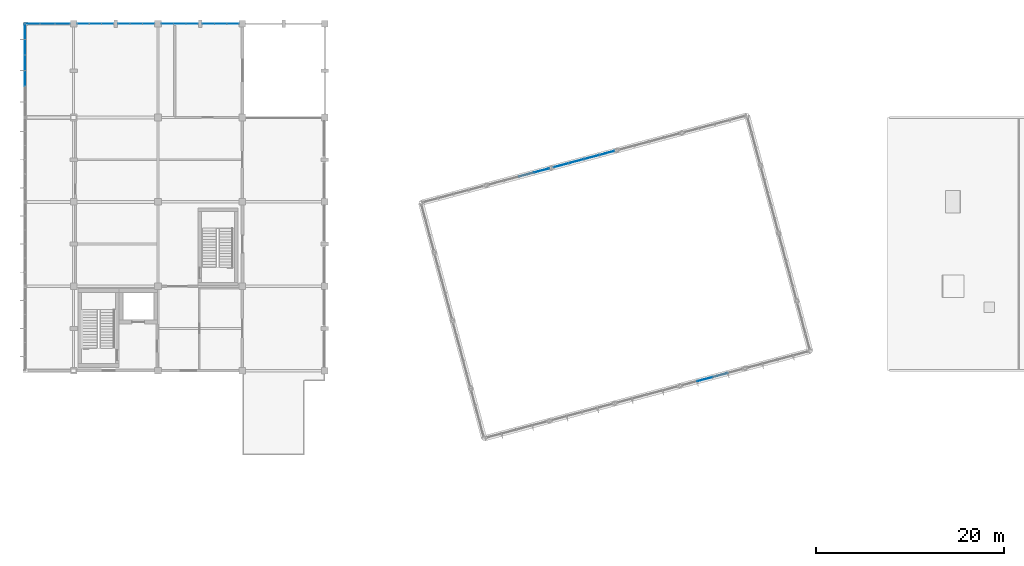
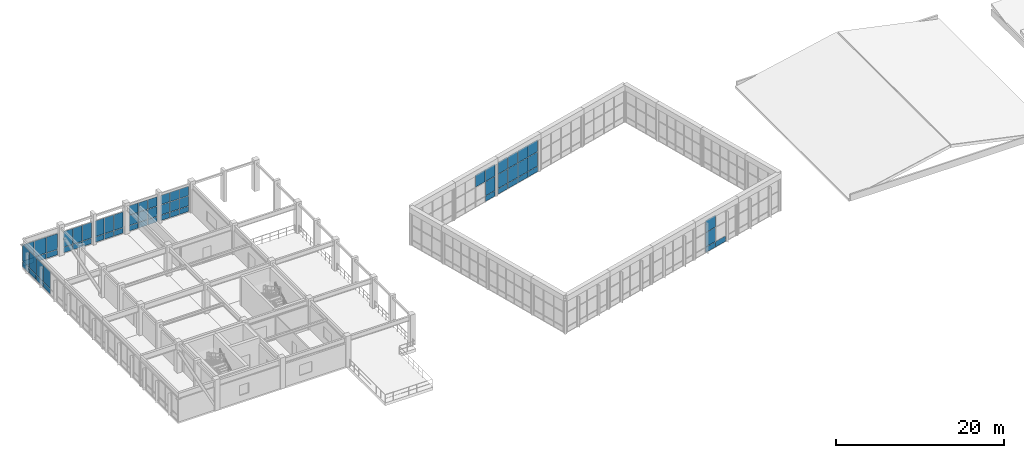
# One storey, part 40 of 55: 64 plates, 9 elements without a shape of their own.
"""IFC4 building model written with IfcOpenShell, lengths in metres."""

from ifc_helpers import new_model, si_unit, direction, frame, origin, origin_2d, place, context, subcontext, project, spatial, rectangle, extrude, material, layer, layer_set, type_object, element, aggregate, save


model = new_model("IFC4")

# Units and contexts
model_context = context("Model", 3, precision=1e-05, world=origin(), true_north=direction((0.0, 1.0)))
body_context = subcontext(model_context, "Body", "Model", "MODEL_VIEW")
ifc_project = project(units=[si_unit("LENGTHUNIT", "METRE"), si_unit("AREAUNIT", "SQUARE_METRE"), si_unit("VOLUMEUNIT", "CUBIC_METRE"), si_unit("PLANEANGLEUNIT", "RADIAN"), si_unit("MASSUNIT", "GRAM", prefix="KILO")], contexts=[model_context])

# Site, building, storey
site_placement = place(None, origin())
site = spatial("IfcSite", under=ifc_project, at=site_placement, CompositionType="ELEMENT")
building_placement = place(site_placement, origin())
building = spatial("IfcBuilding", under=site, at=building_placement, Name="Ventoquebrada Cableway Terminal", CompositionType="ELEMENT")
storey_placement = place(building_placement, frame((0.0, 0.0, 14.39990234375)))
storey = spatial("IfcBuildingStorey", under=building, at=storey_placement, Name="L03", CompositionType="ELEMENT", Elevation=14.39990234375)

# Curtain wall, plate
ifc_material_1 = material(Name="Anodized thermally-broken aluminium", Category="aluminium")
ifc_layer_1 = layer(ifc_material_1, 0.159912109375)
ifc_layer_set_1 = layer_set([ifc_layer_1], Name="Anodized thermally-broken aluminium")
curtain_wall_type_1 = type_object("IfcCurtainWallType", Name="CW-T20", PredefinedType="USERDEFINED", material=ifc_layer_set_1)
curtain_wall_1_placement = place(storey_placement, origin())
curtain_wall_1 = element("IfcCurtainWall", 1, at=curtain_wall_1_placement, inside=storey, type_object=curtain_wall_type_1, Name="Unitised glazed curtain wall CW-051", ObjectType="UNITISED CURTAIN WALL", PredefinedType="USERDEFINED")
ifc_material_2 = material(Name="Double low-e laminated safety glazing", Category="glass")
ifc_layer_2 = layer(ifc_material_2, 0.031982421875)
ifc_layer_set_2 = layer_set([ifc_layer_2], Name="Double low-e laminated safety glazing")
plate_type_1 = type_object("IfcPlateType", Name="CWP-GL1", PredefinedType="CURTAIN_PANEL", material=ifc_layer_set_2)
plate_1_placement = place(storey_placement, frame((5.422119140625, 114.0, 0.880126953125), z_axis=(0.0, 0.0, 1.0), x_axis=(-1.0, 0.0, 0.0)))
plate_1 = element("IfcPlate", 2, at=plate_1_placement, type_object=plate_type_1, Name="Vision glazing panel PN-0513", PredefinedType="CURTAIN_PANEL", context=body_context, shape_type="SweptSolid", body=[
    extrude(rectangle(XDim=1.571044921875, YDim=0.031982421875, at=origin_2d()), origin(), (0.0, 0.0, 1.0), 2.27001953125),
])

ifc_layer_3 = layer(ifc_material_1, 0.159912109375)
ifc_layer_set_3 = layer_set([ifc_layer_3], Name="Anodized thermally-broken aluminium")
curtain_wall_type_2 = type_object("IfcCurtainWallType", Name="CW-T21", PredefinedType="USERDEFINED", material=ifc_layer_set_3)
curtain_wall_2_placement = place(storey_placement, origin())
curtain_wall_2 = element("IfcCurtainWall", 3, at=curtain_wall_2_placement, inside=storey, type_object=curtain_wall_type_2, Name="Unitised glazed curtain wall CW-052", ObjectType="UNITISED CURTAIN WALL", PredefinedType="USERDEFINED")
plate_2_placement = place(storey_placement, frame((14.875, 114.0, 0.880126953125), z_axis=(0.0, 0.0, 1.0), x_axis=(-1.0, 0.0, 0.0)))
plate_2 = element("IfcPlate", 4, at=plate_2_placement, type_object=plate_type_1, Name="Vision glazing panel PN-0519", PredefinedType="CURTAIN_PANEL", context=body_context, shape_type="SweptSolid", body=[
    extrude(rectangle(XDim=1.26904296875, YDim=0.031982421875, at=origin_2d()), origin(), (0.0, 0.0, 1.0), 2.27001953125),
])

curtain_wall_3_placement = place(storey_placement, origin())
curtain_wall_3 = element("IfcCurtainWall", 5, at=curtain_wall_3_placement, inside=storey, type_object=curtain_wall_type_2, Name="Unitised glazed curtain wall CW-053", ObjectType="UNITISED CURTAIN WALL", PredefinedType="USERDEFINED")
plate_3_placement = place(storey_placement, frame((10.52490234375, 114.0, 0.880126953125), z_axis=(0.0, 0.0, 1.0), x_axis=(-1.0, 0.0, 0.0)))
plate_3 = element("IfcPlate", 6, at=plate_3_placement, type_object=plate_type_1, Name="Vision glazing panel PN-0525", PredefinedType="CURTAIN_PANEL", context=body_context, shape_type="SweptSolid", body=[
    extrude(rectangle(XDim=1.26904296875, YDim=0.031982421875, at=origin_2d()), origin(), (0.0, 0.0, 1.0), 2.27001953125),
])

# Curtain wall, plates
ifc_layer_4 = layer(ifc_material_1, 0.159912109375)
ifc_layer_set_4 = layer_set([ifc_layer_4], Name="Anodized thermally-broken aluminium")
curtain_wall_type_3 = type_object("IfcCurtainWallType", Name="CW-T06", PredefinedType="USERDEFINED", material=ifc_layer_set_4)
curtain_wall_4_placement = place(storey_placement, origin())
curtain_wall_4 = element("IfcCurtainWall", 7, at=curtain_wall_4_placement, inside=storey, type_object=curtain_wall_type_3, Name="Unitised glazed curtain wall CW-054", ObjectType="UNITISED CURTAIN WALL", PredefinedType="USERDEFINED")
plate_4_placement = place(storey_placement, frame((25.1708984375, 114.0, 2.37109375), z_axis=(0.0, 0.0, 1.0), x_axis=(-1.0, 0.0, 0.0)))
plate_4 = element("IfcPlate", 8, at=plate_4_placement, type_object=plate_type_1, Name="Vision glazing panel PN-0530", PredefinedType="CURTAIN_PANEL", context=body_context, shape_type="SweptSolid", body=[
    extrude(rectangle(XDim=1.23388671875, YDim=0.031982421875, at=origin_2d()), origin(), (0.0, 0.0, 1.0), 1.340087890625),
])
plate_5_placement = place(storey_placement, frame((23.875, 114.0, 0.87939453125), z_axis=(0.0, 0.0, 1.0), x_axis=(-1.0, 0.0, 0.0)))
plate_5 = element("IfcPlate", 9, at=plate_5_placement, type_object=plate_type_1, Name="Vision glazing panel PN-0532", PredefinedType="CURTAIN_PANEL", context=body_context, shape_type="SweptSolid", body=[
    extrude(rectangle(XDim=1.26904296875, YDim=0.031982421875, at=origin_2d()), origin(), (0.0, 0.0, 1.0), 1.431884765625),
])
plate_6_placement = place(storey_placement, frame((22.5791015625, 114.0, 2.37109375), z_axis=(0.0, 0.0, 1.0), x_axis=(-1.0, 0.0, 0.0)))
plate_6 = element("IfcPlate", 10, at=plate_6_placement, type_object=plate_type_1, Name="Vision glazing panel PN-0536", PredefinedType="CURTAIN_PANEL", context=body_context, shape_type="SweptSolid", body=[
    extrude(rectangle(XDim=1.23388671875, YDim=0.031982421875, at=origin_2d()), origin(), (0.0, 0.0, 1.0), 1.340087890625),
])

curtain_wall_5_placement = place(storey_placement, origin())
curtain_wall_5 = element("IfcCurtainWall", 11, at=curtain_wall_5_placement, inside=storey, type_object=curtain_wall_type_3, Name="Unitised glazed curtain wall CW-055", ObjectType="UNITISED CURTAIN WALL", PredefinedType="USERDEFINED")
plate_7_placement = place(storey_placement, frame((20.821044921875, 114.0, 2.37109375), z_axis=(0.0, 0.0, 1.0), x_axis=(-1.0, 0.0, 0.0)))
plate_7 = element("IfcPlate", 12, at=plate_7_placement, type_object=plate_type_1, Name="Vision glazing panel PN-0539", PredefinedType="CURTAIN_PANEL", context=body_context, shape_type="SweptSolid", body=[
    extrude(rectangle(XDim=1.23388671875, YDim=0.031982421875, at=origin_2d()), origin(), (0.0, 0.0, 1.0), 1.340087890625),
])
plate_8_placement = place(storey_placement, frame((19.52490234375, 114.0, 0.87939453125), z_axis=(0.0, 0.0, 1.0), x_axis=(-1.0, 0.0, 0.0)))
plate_8 = element("IfcPlate", 13, at=plate_8_placement, type_object=plate_type_1, Name="Vision glazing panel PN-0541", PredefinedType="CURTAIN_PANEL", context=body_context, shape_type="SweptSolid", body=[
    extrude(rectangle(XDim=1.26904296875, YDim=0.031982421875, at=origin_2d()), origin(), (0.0, 0.0, 1.0), 1.431884765625),
])
plate_9_placement = place(storey_placement, frame((18.22900390625, 114.0, 2.37109375), z_axis=(0.0, 0.0, 1.0), x_axis=(-1.0, 0.0, 0.0)))
plate_9 = element("IfcPlate", 14, at=plate_9_placement, type_object=plate_type_1, Name="Vision glazing panel PN-0545", PredefinedType="CURTAIN_PANEL", context=body_context, shape_type="SweptSolid", body=[
    extrude(rectangle(XDim=1.23388671875, YDim=0.031982421875, at=origin_2d()), origin(), (0.0, 0.0, 1.0), 1.340087890625),
])

ifc_layer_5 = layer(ifc_material_1, 0.159912109375)
ifc_layer_set_5 = layer_set([ifc_layer_5], Name="Anodized thermally-broken aluminium")
curtain_wall_type_4 = type_object("IfcCurtainWallType", Name="CW-T24", PredefinedType="USERDEFINED", material=ifc_layer_set_5)
curtain_wall_6_placement = place(storey_placement, origin())
curtain_wall_6 = element("IfcCurtainWall", 15, at=curtain_wall_6_placement, inside=storey, type_object=curtain_wall_type_4, Name="Unitised glazed curtain wall CW-059", ObjectType="UNITISED CURTAIN WALL", PredefinedType="USERDEFINED")
plate_10_placement = place(storey_placement, frame((3.0, 111.5, 0.87890625), z_axis=(0.0, 0.0, 1.0), x_axis=(0.0, -1.0, 0.0)))
plate_10 = element("IfcPlate", 16, at=plate_10_placement, type_object=plate_type_1, Name="Vision glazing panel PN-0585", PredefinedType="CURTAIN_PANEL", context=body_context, shape_type="SweptSolid", body=[
    extrude(rectangle(XDim=1.623046875, YDim=0.031982421875, at=origin_2d()), origin(), (0.0, 0.0, 1.0), 2.427978515625),
])
plate_11_placement = place(storey_placement, frame((3.0, 108.166015625, 0.87890625), z_axis=(0.0, 0.0, 1.0), x_axis=(0.0, -1.0, 0.0)))
plate_11 = element("IfcPlate", 17, at=plate_11_placement, type_object=plate_type_1, Name="Vision glazing panel PN-0589", PredefinedType="CURTAIN_PANEL", context=body_context, shape_type="SweptSolid", body=[
    extrude(rectangle(XDim=1.623046875, YDim=0.031982421875, at=origin_2d()), origin(), (0.0, 0.0, 1.0), 2.427978515625),
])

# Curtain wall, plate
ifc_layer_6 = layer(ifc_material_1, 0.159912109375)
ifc_layer_set_6 = layer_set([ifc_layer_6], Name="Anodized thermally-broken aluminium")
curtain_wall_type_5 = type_object("IfcCurtainWallType", Name="CW-T42", PredefinedType="USERDEFINED", material=ifc_layer_set_6)
curtain_wall_7_placement = place(storey_placement, origin())
curtain_wall_7 = element("IfcCurtainWall", 18, at=curtain_wall_7_placement, inside=storey, type_object=curtain_wall_type_5, Name="Unitised glazed curtain wall CW-118", ObjectType="UNITISED CURTAIN WALL", PredefinedType="USERDEFINED")
plate_12_placement = place(storey_placement, frame((75.5, 76.0869140625, 0.874267578125), z_axis=(0.0, 0.0, 1.0), x_axis=(0.965957439792, 0.258701033069, 0.0)))
plate_12 = element("IfcPlate", 19, at=plate_12_placement, type_object=plate_type_1, Name="Vision glazing panel PN-1231", PredefinedType="CURTAIN_PANEL", context=body_context, shape_type="SweptSolid", body=[
    extrude(rectangle(XDim=1.636962890625, YDim=0.031982421875, at=origin_2d()), origin(), (0.0, 0.0, 1.0), 2.0458984375),
])

curtain_wall_8_placement = place(storey_placement, origin())
curtain_wall_8 = element("IfcCurtainWall", 20, at=curtain_wall_8_placement, inside=storey, type_object=curtain_wall_type_5, Name="Unitised glazed curtain wall CW-121", ObjectType="UNITISED CURTAIN WALL", PredefinedType="USERDEFINED")
plate_13_placement = place(storey_placement, frame((58.12109375, 98.346923828125, 2.9697265625), z_axis=(0.0, 0.0, 1.0), x_axis=(-0.965957439792, -0.258701033069, 0.0)))
plate_13 = element("IfcPlate", 21, at=plate_13_placement, type_object=plate_type_1, Name="Vision glazing panel PN-1265", PredefinedType="CURTAIN_PANEL", context=body_context, shape_type="SweptSolid", body=[
    extrude(rectangle(XDim=1.60205078125, YDim=0.031982421875, at=origin_2d()), origin(), (0.0, 0.0, 1.0), 1.720947265625),
])

# Curtain wall, plates
curtain_wall_9_placement = place(storey_placement, origin())
curtain_wall_9 = element("IfcCurtainWall", 22, at=curtain_wall_9_placement, inside=storey, type_object=curtain_wall_type_5, Name="Unitised glazed curtain wall CW-122", ObjectType="UNITISED CURTAIN WALL", PredefinedType="USERDEFINED")
plate_14_placement = place(storey_placement, frame((65.075927734375, 100.2109375, 2.9697265625), z_axis=(0.0, 0.0, 1.0), x_axis=(-0.965921308897, -0.258835903649, 0.0)))
plate_14 = element("IfcPlate", 23, at=plate_14_placement, type_object=plate_type_1, Name="Vision glazing panel PN-1277", PredefinedType="CURTAIN_PANEL", context=body_context, shape_type="SweptSolid", body=[
    extrude(rectangle(XDim=1.60205078125, YDim=0.031982421875, at=origin_2d()), origin(), (0.0, 0.0, 1.0), 1.720947265625),
])
plate_15_placement = place(storey_placement, frame((63.455078125, 99.77587890625, 0.874267578125), z_axis=(0.0, 0.0, 1.0), x_axis=(-0.965921308897, -0.258835903649, 0.0)))
plate_15 = element("IfcPlate", 24, at=plate_15_placement, type_object=plate_type_1, Name="Vision glazing panel PN-1279", PredefinedType="CURTAIN_PANEL", context=body_context, shape_type="SweptSolid", body=[
    extrude(rectangle(XDim=1.636962890625, YDim=0.031982421875, at=origin_2d()), origin(), (0.0, 0.0, 1.0), 2.0458984375),
])
plate_16_placement = place(storey_placement, frame((61.81689453125, 99.337890625, 2.9697265625), z_axis=(0.0, 0.0, 1.0), x_axis=(-0.965921308897, -0.258835903649, 0.0)))
plate_16 = element("IfcPlate", 25, at=plate_16_placement, type_object=plate_type_1, Name="Vision glazing panel PN-1283", PredefinedType="CURTAIN_PANEL", context=body_context, shape_type="SweptSolid", body=[
    extrude(rectangle(XDim=1.636962890625, YDim=0.031982421875, at=origin_2d()), origin(), (0.0, 0.0, 1.0), 1.720947265625),
])
plate_17_placement = place(storey_placement, frame((60.195068359375, 98.903076171875, 0.874267578125), z_axis=(0.0, 0.0, 1.0), x_axis=(-0.965921308897, -0.258835903649, 0.0)))
plate_17 = element("IfcPlate", 26, at=plate_17_placement, type_object=plate_type_1, Name="Vision glazing panel PN-1285", PredefinedType="CURTAIN_PANEL", context=body_context, shape_type="SweptSolid", body=[
    extrude(rectangle(XDim=1.60205078125, YDim=0.031982421875, at=origin_2d()), origin(), (0.0, 0.0, 1.0), 2.0458984375),
])

# Plate
ifc_layer_7 = layer(ifc_material_2, 0.0380859375)
ifc_layer_set_7 = layer_set([ifc_layer_7], Name="Double low-e laminated safety glazing")
plate_type_2 = type_object("IfcPlateType", Name="CWP-GL2", PredefinedType="CURTAIN_PANEL", material=ifc_layer_set_7)
plate_18_placement = place(storey_placement, frame((7.02001953125, 114.0, 0.880126953125), z_axis=(0.0, 0.0, 1.0), x_axis=(-1.0, 0.0, 0.0)))
plate_18 = element("IfcPlate", 27, at=plate_18_placement, type_object=plate_type_2, Name="Vision glazing panel PN-0511", PredefinedType="CURTAIN_PANEL", context=body_context, shape_type="SweptSolid", body=[
    extrude(rectangle(XDim=1.535888671875, YDim=0.0380859375, at=origin_2d()), origin(), (0.0, 0.0, 1.0), 2.27001953125),
])

plate_19_placement = place(storey_placement, frame((3.824951171875, 114.0, 0.880126953125), z_axis=(0.0, 0.0, 1.0), x_axis=(-1.0, 0.0, 0.0)))
plate_19 = element("IfcPlate", 28, at=plate_19_placement, type_object=plate_type_2, Name="Vision glazing panel PN-0515", PredefinedType="CURTAIN_PANEL", context=body_context, shape_type="SweptSolid", body=[
    extrude(rectangle(XDim=1.535888671875, YDim=0.0380859375, at=origin_2d()), origin(), (0.0, 0.0, 1.0), 2.27001953125),
])

plate_20_placement = place(storey_placement, frame((16.1708984375, 114.0, 0.880126953125), z_axis=(0.0, 0.0, 1.0), x_axis=(-1.0, 0.0, 0.0)))
plate_20 = element("IfcPlate", 29, at=plate_20_placement, type_object=plate_type_2, Name="Vision glazing panel PN-0517", PredefinedType="CURTAIN_PANEL", context=body_context, shape_type="SweptSolid", body=[
    extrude(rectangle(XDim=1.23388671875, YDim=0.0380859375, at=origin_2d()), origin(), (0.0, 0.0, 1.0), 2.27001953125),
])

plate_21_placement = place(storey_placement, frame((13.5791015625, 114.0, 0.880126953125), z_axis=(0.0, 0.0, 1.0), x_axis=(-1.0, 0.0, 0.0)))
plate_21 = element("IfcPlate", 30, at=plate_21_placement, type_object=plate_type_2, Name="Vision glazing panel PN-0521", PredefinedType="CURTAIN_PANEL", context=body_context, shape_type="SweptSolid", body=[
    extrude(rectangle(XDim=1.23388671875, YDim=0.0380859375, at=origin_2d()), origin(), (0.0, 0.0, 1.0), 2.27001953125),
])

plate_22_placement = place(storey_placement, frame((11.821044921875, 114.0, 0.880126953125), z_axis=(0.0, 0.0, 1.0), x_axis=(-1.0, 0.0, 0.0)))
plate_22 = element("IfcPlate", 31, at=plate_22_placement, type_object=plate_type_2, Name="Vision glazing panel PN-0523", PredefinedType="CURTAIN_PANEL", context=body_context, shape_type="SweptSolid", body=[
    extrude(rectangle(XDim=1.23388671875, YDim=0.0380859375, at=origin_2d()), origin(), (0.0, 0.0, 1.0), 2.27001953125),
])

plate_23_placement = place(storey_placement, frame((9.22900390625, 114.0, 0.880126953125), z_axis=(0.0, 0.0, 1.0), x_axis=(-1.0, 0.0, 0.0)))
plate_23 = element("IfcPlate", 32, at=plate_23_placement, type_object=plate_type_2, Name="Vision glazing panel PN-0527", PredefinedType="CURTAIN_PANEL", context=body_context, shape_type="SweptSolid", body=[
    extrude(rectangle(XDim=1.23388671875, YDim=0.0380859375, at=origin_2d()), origin(), (0.0, 0.0, 1.0), 2.27001953125),
])

plate_24_placement = place(storey_placement, frame((25.1708984375, 114.0, 0.87939453125), z_axis=(0.0, 0.0, 1.0), x_axis=(-1.0, 0.0, 0.0)))
plate_24 = element("IfcPlate", 33, at=plate_24_placement, type_object=plate_type_2, Name="Vision glazing panel PN-0529", PredefinedType="CURTAIN_PANEL", context=body_context, shape_type="SweptSolid", body=[
    extrude(rectangle(XDim=1.23388671875, YDim=0.0380859375, at=origin_2d()), origin(), (0.0, 0.0, 1.0), 1.431884765625),
])

plate_25_placement = place(storey_placement, frame((23.875, 114.0, 2.37109375), z_axis=(0.0, 0.0, 1.0), x_axis=(-1.0, 0.0, 0.0)))
plate_25 = element("IfcPlate", 34, at=plate_25_placement, type_object=plate_type_2, Name="Vision glazing panel PN-0533", PredefinedType="CURTAIN_PANEL", context=body_context, shape_type="SweptSolid", body=[
    extrude(rectangle(XDim=1.26904296875, YDim=0.0380859375, at=origin_2d()), origin(), (0.0, 0.0, 1.0), 1.340087890625),
])

plate_26_placement = place(storey_placement, frame((22.5791015625, 114.0, 0.87939453125), z_axis=(0.0, 0.0, 1.0), x_axis=(-1.0, 0.0, 0.0)))
plate_26 = element("IfcPlate", 35, at=plate_26_placement, type_object=plate_type_2, Name="Vision glazing panel PN-0535", PredefinedType="CURTAIN_PANEL", context=body_context, shape_type="SweptSolid", body=[
    extrude(rectangle(XDim=1.23388671875, YDim=0.0380859375, at=origin_2d()), origin(), (0.0, 0.0, 1.0), 1.431884765625),
])

plate_27_placement = place(storey_placement, frame((20.821044921875, 114.0, 0.87939453125), z_axis=(0.0, 0.0, 1.0), x_axis=(-1.0, 0.0, 0.0)))
plate_27 = element("IfcPlate", 36, at=plate_27_placement, type_object=plate_type_2, Name="Vision glazing panel PN-0538", PredefinedType="CURTAIN_PANEL", context=body_context, shape_type="SweptSolid", body=[
    extrude(rectangle(XDim=1.23388671875, YDim=0.0380859375, at=origin_2d()), origin(), (0.0, 0.0, 1.0), 1.431884765625),
])

plate_28_placement = place(storey_placement, frame((19.52490234375, 114.0, 2.37109375), z_axis=(0.0, 0.0, 1.0), x_axis=(-1.0, 0.0, 0.0)))
plate_28 = element("IfcPlate", 37, at=plate_28_placement, type_object=plate_type_2, Name="Vision glazing panel PN-0542", PredefinedType="CURTAIN_PANEL", context=body_context, shape_type="SweptSolid", body=[
    extrude(rectangle(XDim=1.26904296875, YDim=0.0380859375, at=origin_2d()), origin(), (0.0, 0.0, 1.0), 1.340087890625),
])

plate_29_placement = place(storey_placement, frame((18.22900390625, 114.0, 0.87939453125), z_axis=(0.0, 0.0, 1.0), x_axis=(-1.0, 0.0, 0.0)))
plate_29 = element("IfcPlate", 38, at=plate_29_placement, type_object=plate_type_2, Name="Vision glazing panel PN-0544", PredefinedType="CURTAIN_PANEL", context=body_context, shape_type="SweptSolid", body=[
    extrude(rectangle(XDim=1.23388671875, YDim=0.0380859375, at=origin_2d()), origin(), (0.0, 0.0, 1.0), 1.431884765625),
])

plate_30_placement = place(storey_placement, frame((3.0, 113.14892578125, 0.87890625), z_axis=(0.0, 0.0, 1.0), x_axis=(0.0, -1.0, 0.0)))
plate_30 = element("IfcPlate", 39, at=plate_30_placement, type_object=plate_type_2, Name="Vision glazing panel PN-0583", PredefinedType="CURTAIN_PANEL", context=body_context, shape_type="SweptSolid", body=[
    extrude(rectangle(XDim=1.587890625, YDim=0.0380859375, at=origin_2d()), origin(), (0.0, 0.0, 1.0), 2.427978515625),
])

plate_31_placement = place(storey_placement, frame((3.0, 109.833984375, 0.87890625), z_axis=(0.0, 0.0, 1.0), x_axis=(0.0, -1.0, 0.0)))
plate_31 = element("IfcPlate", 40, at=plate_31_placement, type_object=plate_type_2, Name="Vision glazing panel PN-0587", PredefinedType="CURTAIN_PANEL", context=body_context, shape_type="SweptSolid", body=[
    extrude(rectangle(XDim=1.623046875, YDim=0.0380859375, at=origin_2d()), origin(), (0.0, 0.0, 1.0), 2.427978515625),
])

plate_32_placement = place(storey_placement, frame((75.5, 76.0869140625, 2.9697265625), z_axis=(0.0, 0.0, 1.0), x_axis=(0.965957439792, 0.258701033069, 0.0)))
plate_32 = element("IfcPlate", 41, at=plate_32_placement, type_object=plate_type_2, Name="Vision glazing panel PN-1232", PredefinedType="CURTAIN_PANEL", context=body_context, shape_type="SweptSolid", body=[
    extrude(rectangle(XDim=1.636962890625, YDim=0.0380859375, at=origin_2d()), origin(), (0.0, 0.0, 1.0), 1.720947265625),
])

plate_33_placement = place(storey_placement, frame((58.12109375, 98.346923828125, 0.874267578125), z_axis=(0.0, 0.0, 1.0), x_axis=(-0.965957439792, -0.258701033069, 0.0)))
plate_33 = element("IfcPlate", 42, at=plate_33_placement, type_object=plate_type_2, Name="Vision glazing panel PN-1264", PredefinedType="CURTAIN_PANEL", context=body_context, shape_type="SweptSolid", body=[
    extrude(rectangle(XDim=1.60205078125, YDim=0.0380859375, at=origin_2d()), origin(), (0.0, 0.0, 1.0), 2.0458984375),
])

plate_34_placement = place(storey_placement, frame((56.4990234375, 97.9130859375, 2.9697265625), z_axis=(0.0, 0.0, 1.0), x_axis=(-0.965957439792, -0.258701033069, 0.0)))
plate_34 = element("IfcPlate", 43, at=plate_34_placement, type_object=plate_type_2, Name="Vision glazing panel PN-1268", PredefinedType="CURTAIN_PANEL", context=body_context, shape_type="SweptSolid", body=[
    extrude(rectangle(XDim=1.636962890625, YDim=0.0380859375, at=origin_2d()), origin(), (0.0, 0.0, 1.0), 1.720947265625),
])

plate_35_placement = place(storey_placement, frame((65.075927734375, 100.2109375, 0.874267578125), z_axis=(0.0, 0.0, 1.0), x_axis=(-0.965921308897, -0.258835903649, 0.0)))
plate_35 = element("IfcPlate", 44, at=plate_35_placement, type_object=plate_type_2, Name="Vision glazing panel PN-1276", PredefinedType="CURTAIN_PANEL", context=body_context, shape_type="SweptSolid", body=[
    extrude(rectangle(XDim=1.60205078125, YDim=0.0380859375, at=origin_2d()), origin(), (0.0, 0.0, 1.0), 2.0458984375),
])

plate_36_placement = place(storey_placement, frame((63.455078125, 99.77587890625, 2.9697265625), z_axis=(0.0, 0.0, 1.0), x_axis=(-0.965921308897, -0.258835903649, 0.0)))
plate_36 = element("IfcPlate", 45, at=plate_36_placement, type_object=plate_type_2, Name="Vision glazing panel PN-1280", PredefinedType="CURTAIN_PANEL", context=body_context, shape_type="SweptSolid", body=[
    extrude(rectangle(XDim=1.636962890625, YDim=0.0380859375, at=origin_2d()), origin(), (0.0, 0.0, 1.0), 1.720947265625),
])

plate_37_placement = place(storey_placement, frame((61.81689453125, 99.337890625, 0.874267578125), z_axis=(0.0, 0.0, 1.0), x_axis=(-0.965921308897, -0.258835903649, 0.0)))
plate_37 = element("IfcPlate", 46, at=plate_37_placement, type_object=plate_type_2, Name="Vision glazing panel PN-1282", PredefinedType="CURTAIN_PANEL", context=body_context, shape_type="SweptSolid", body=[
    extrude(rectangle(XDim=1.636962890625, YDim=0.0380859375, at=origin_2d()), origin(), (0.0, 0.0, 1.0), 2.0458984375),
])

plate_38_placement = place(storey_placement, frame((60.195068359375, 98.903076171875, 2.9697265625), z_axis=(0.0, 0.0, 1.0), x_axis=(-0.965921308897, -0.258835903649, 0.0)))
plate_38 = element("IfcPlate", 47, at=plate_38_placement, type_object=plate_type_2, Name="Vision glazing panel PN-1286", PredefinedType="CURTAIN_PANEL", context=body_context, shape_type="SweptSolid", body=[
    extrude(rectangle(XDim=1.60205078125, YDim=0.0380859375, at=origin_2d()), origin(), (0.0, 0.0, 1.0), 1.720947265625),
])

ifc_material_3 = material(Name="Insulated aluminium spandrel cassette", Category="aluminium")
ifc_layer_8 = layer(ifc_material_3, 0.044921875)
ifc_layer_set_8 = layer_set([ifc_layer_8], Name="Insulated aluminium spandrel cassette")
plate_type_3 = type_object("IfcPlateType", Name="CWP-SP1", PredefinedType="CURTAIN_PANEL", material=ifc_layer_set_8)
plate_39_placement = place(storey_placement, frame((7.02001953125, 114.0, 0.06494140625), z_axis=(0.0, 0.0, 1.0), x_axis=(-1.0, 0.0, 0.0)))
plate_39 = element("IfcPlate", 48, at=plate_39_placement, type_object=plate_type_3, Name="Insulated spandrel panel PN-0510", PredefinedType="CURTAIN_PANEL", context=body_context, shape_type="SweptSolid", body=[
    extrude(rectangle(XDim=1.535888671875, YDim=0.044921875, at=origin_2d()), origin(), (0.0, 0.0, 1.0), 0.756103515625),
])

plate_40_placement = place(storey_placement, frame((5.422119140625, 114.0, 0.06494140625), z_axis=(0.0, 0.0, 1.0), x_axis=(-1.0, 0.0, 0.0)))
plate_40 = element("IfcPlate", 49, at=plate_40_placement, type_object=plate_type_3, Name="Insulated spandrel panel PN-0512", PredefinedType="CURTAIN_PANEL", context=body_context, shape_type="SweptSolid", body=[
    extrude(rectangle(XDim=1.571044921875, YDim=0.044921875, at=origin_2d()), origin(), (0.0, 0.0, 1.0), 0.756103515625),
])

plate_41_placement = place(storey_placement, frame((3.824951171875, 114.0, 0.06494140625), z_axis=(0.0, 0.0, 1.0), x_axis=(-1.0, 0.0, 0.0)))
plate_41 = element("IfcPlate", 50, at=plate_41_placement, type_object=plate_type_3, Name="Insulated spandrel panel PN-0514", PredefinedType="CURTAIN_PANEL", context=body_context, shape_type="SweptSolid", body=[
    extrude(rectangle(XDim=1.535888671875, YDim=0.044921875, at=origin_2d()), origin(), (0.0, 0.0, 1.0), 0.756103515625),
])

aggregate(curtain_wall_1, [plate_39, plate_18, plate_40, plate_1, plate_41, plate_19])

plate_42_placement = place(storey_placement, frame((16.1708984375, 114.0, 0.06494140625), z_axis=(0.0, 0.0, 1.0), x_axis=(-1.0, 0.0, 0.0)))
plate_42 = element("IfcPlate", 51, at=plate_42_placement, type_object=plate_type_3, Name="Insulated spandrel panel PN-0516", PredefinedType="CURTAIN_PANEL", context=body_context, shape_type="SweptSolid", body=[
    extrude(rectangle(XDim=1.23388671875, YDim=0.044921875, at=origin_2d()), origin(), (0.0, 0.0, 1.0), 0.756103515625),
])

plate_43_placement = place(storey_placement, frame((14.875, 114.0, 0.06494140625), z_axis=(0.0, 0.0, 1.0), x_axis=(-1.0, 0.0, 0.0)))
plate_43 = element("IfcPlate", 52, at=plate_43_placement, type_object=plate_type_3, Name="Insulated spandrel panel PN-0518", PredefinedType="CURTAIN_PANEL", context=body_context, shape_type="SweptSolid", body=[
    extrude(rectangle(XDim=1.26904296875, YDim=0.044921875, at=origin_2d()), origin(), (0.0, 0.0, 1.0), 0.756103515625),
])

plate_44_placement = place(storey_placement, frame((13.5791015625, 114.0, 0.06494140625), z_axis=(0.0, 0.0, 1.0), x_axis=(-1.0, 0.0, 0.0)))
plate_44 = element("IfcPlate", 53, at=plate_44_placement, type_object=plate_type_3, Name="Insulated spandrel panel PN-0520", PredefinedType="CURTAIN_PANEL", context=body_context, shape_type="SweptSolid", body=[
    extrude(rectangle(XDim=1.23388671875, YDim=0.044921875, at=origin_2d()), origin(), (0.0, 0.0, 1.0), 0.756103515625),
])

aggregate(curtain_wall_2, [plate_42, plate_20, plate_43, plate_2, plate_44, plate_21])

plate_45_placement = place(storey_placement, frame((11.821044921875, 114.0, 0.06494140625), z_axis=(0.0, 0.0, 1.0), x_axis=(-1.0, 0.0, 0.0)))
plate_45 = element("IfcPlate", 54, at=plate_45_placement, type_object=plate_type_3, Name="Insulated spandrel panel PN-0522", PredefinedType="CURTAIN_PANEL", context=body_context, shape_type="SweptSolid", body=[
    extrude(rectangle(XDim=1.23388671875, YDim=0.044921875, at=origin_2d()), origin(), (0.0, 0.0, 1.0), 0.756103515625),
])

plate_46_placement = place(storey_placement, frame((10.52490234375, 114.0, 0.06494140625), z_axis=(0.0, 0.0, 1.0), x_axis=(-1.0, 0.0, 0.0)))
plate_46 = element("IfcPlate", 55, at=plate_46_placement, type_object=plate_type_3, Name="Insulated spandrel panel PN-0524", PredefinedType="CURTAIN_PANEL", context=body_context, shape_type="SweptSolid", body=[
    extrude(rectangle(XDim=1.26904296875, YDim=0.044921875, at=origin_2d()), origin(), (0.0, 0.0, 1.0), 0.756103515625),
])

plate_47_placement = place(storey_placement, frame((9.22900390625, 114.0, 0.06494140625), z_axis=(0.0, 0.0, 1.0), x_axis=(-1.0, 0.0, 0.0)))
plate_47 = element("IfcPlate", 56, at=plate_47_placement, type_object=plate_type_3, Name="Insulated spandrel panel PN-0526", PredefinedType="CURTAIN_PANEL", context=body_context, shape_type="SweptSolid", body=[
    extrude(rectangle(XDim=1.23388671875, YDim=0.044921875, at=origin_2d()), origin(), (0.0, 0.0, 1.0), 0.756103515625),
])

aggregate(curtain_wall_3, [plate_45, plate_22, plate_46, plate_3, plate_47, plate_23])

plate_48_placement = place(storey_placement, frame((25.1708984375, 114.0, 0.06494140625), z_axis=(0.0, 0.0, 1.0), x_axis=(-1.0, 0.0, 0.0)))
plate_48 = element("IfcPlate", 57, at=plate_48_placement, type_object=plate_type_3, Name="Insulated spandrel panel PN-0528", PredefinedType="CURTAIN_PANEL", context=body_context, shape_type="SweptSolid", body=[
    extrude(rectangle(XDim=1.23388671875, YDim=0.044921875, at=origin_2d()), origin(), (0.0, 0.0, 1.0), 0.756103515625),
])

plate_49_placement = place(storey_placement, frame((23.875, 114.0, 0.06494140625), z_axis=(0.0, 0.0, 1.0), x_axis=(-1.0, 0.0, 0.0)))
plate_49 = element("IfcPlate", 58, at=plate_49_placement, type_object=plate_type_3, Name="Insulated spandrel panel PN-0531", PredefinedType="CURTAIN_PANEL", context=body_context, shape_type="SweptSolid", body=[
    extrude(rectangle(XDim=1.26904296875, YDim=0.044921875, at=origin_2d()), origin(), (0.0, 0.0, 1.0), 0.756103515625),
])

plate_50_placement = place(storey_placement, frame((22.5791015625, 114.0, 0.06494140625), z_axis=(0.0, 0.0, 1.0), x_axis=(-1.0, 0.0, 0.0)))
plate_50 = element("IfcPlate", 59, at=plate_50_placement, type_object=plate_type_3, Name="Insulated spandrel panel PN-0534", PredefinedType="CURTAIN_PANEL", context=body_context, shape_type="SweptSolid", body=[
    extrude(rectangle(XDim=1.23388671875, YDim=0.044921875, at=origin_2d()), origin(), (0.0, 0.0, 1.0), 0.756103515625),
])

aggregate(curtain_wall_4, [plate_48, plate_24, plate_4, plate_49, plate_5, plate_25, plate_50, plate_26, plate_6])

plate_51_placement = place(storey_placement, frame((20.821044921875, 114.0, 0.06494140625), z_axis=(0.0, 0.0, 1.0), x_axis=(-1.0, 0.0, 0.0)))
plate_51 = element("IfcPlate", 60, at=plate_51_placement, type_object=plate_type_3, Name="Insulated spandrel panel PN-0537", PredefinedType="CURTAIN_PANEL", context=body_context, shape_type="SweptSolid", body=[
    extrude(rectangle(XDim=1.23388671875, YDim=0.044921875, at=origin_2d()), origin(), (0.0, 0.0, 1.0), 0.756103515625),
])

plate_52_placement = place(storey_placement, frame((19.52490234375, 114.0, 0.06494140625), z_axis=(0.0, 0.0, 1.0), x_axis=(-1.0, 0.0, 0.0)))
plate_52 = element("IfcPlate", 61, at=plate_52_placement, type_object=plate_type_3, Name="Insulated spandrel panel PN-0540", PredefinedType="CURTAIN_PANEL", context=body_context, shape_type="SweptSolid", body=[
    extrude(rectangle(XDim=1.26904296875, YDim=0.044921875, at=origin_2d()), origin(), (0.0, 0.0, 1.0), 0.756103515625),
])

plate_53_placement = place(storey_placement, frame((18.22900390625, 114.0, 0.06494140625), z_axis=(0.0, 0.0, 1.0), x_axis=(-1.0, 0.0, 0.0)))
plate_53 = element("IfcPlate", 62, at=plate_53_placement, type_object=plate_type_3, Name="Insulated spandrel panel PN-0543", PredefinedType="CURTAIN_PANEL", context=body_context, shape_type="SweptSolid", body=[
    extrude(rectangle(XDim=1.23388671875, YDim=0.044921875, at=origin_2d()), origin(), (0.0, 0.0, 1.0), 0.756103515625),
])

aggregate(curtain_wall_5, [plate_51, plate_27, plate_7, plate_52, plate_8, plate_28, plate_53, plate_29, plate_9])

plate_54_placement = place(storey_placement, frame((3.0, 113.14892578125, 0.06494140625), z_axis=(0.0, 0.0, 1.0), x_axis=(0.0, -1.0, 0.0)))
plate_54 = element("IfcPlate", 63, at=plate_54_placement, type_object=plate_type_3, Name="Insulated spandrel panel PN-0582", PredefinedType="CURTAIN_PANEL", context=body_context, shape_type="SweptSolid", body=[
    extrude(rectangle(XDim=1.587890625, YDim=0.044921875, at=origin_2d()), origin(), (0.0, 0.0, 1.0), 0.756103515625),
])

plate_55_placement = place(storey_placement, frame((3.0, 111.5, 0.06494140625), z_axis=(0.0, 0.0, 1.0), x_axis=(0.0, -1.0, 0.0)))
plate_55 = element("IfcPlate", 64, at=plate_55_placement, type_object=plate_type_3, Name="Insulated spandrel panel PN-0584", PredefinedType="CURTAIN_PANEL", context=body_context, shape_type="SweptSolid", body=[
    extrude(rectangle(XDim=1.623046875, YDim=0.044921875, at=origin_2d()), origin(), (0.0, 0.0, 1.0), 0.756103515625),
])

plate_56_placement = place(storey_placement, frame((3.0, 109.833984375, 0.06494140625), z_axis=(0.0, 0.0, 1.0), x_axis=(0.0, -1.0, 0.0)))
plate_56 = element("IfcPlate", 65, at=plate_56_placement, type_object=plate_type_3, Name="Insulated spandrel panel PN-0586", PredefinedType="CURTAIN_PANEL", context=body_context, shape_type="SweptSolid", body=[
    extrude(rectangle(XDim=1.623046875, YDim=0.044921875, at=origin_2d()), origin(), (0.0, 0.0, 1.0), 0.756103515625),
])

plate_57_placement = place(storey_placement, frame((3.0, 108.166015625, 0.06494140625), z_axis=(0.0, 0.0, 1.0), x_axis=(0.0, -1.0, 0.0)))
plate_57 = element("IfcPlate", 66, at=plate_57_placement, type_object=plate_type_3, Name="Insulated spandrel panel PN-0588", PredefinedType="CURTAIN_PANEL", context=body_context, shape_type="SweptSolid", body=[
    extrude(rectangle(XDim=1.623046875, YDim=0.044921875, at=origin_2d()), origin(), (0.0, 0.0, 1.0), 0.756103515625),
])

aggregate(curtain_wall_6, [plate_54, plate_30, plate_55, plate_10, plate_56, plate_31, plate_57, plate_11])

plate_58_placement = place(storey_placement, frame((75.5, 76.0869140625, 0.06005859375), z_axis=(0.0, 0.0, 1.0), x_axis=(0.965957439792, 0.258701033069, 0.0)))
plate_58 = element("IfcPlate", 67, at=plate_58_placement, type_object=plate_type_3, Name="Insulated spandrel panel PN-1230", PredefinedType="CURTAIN_PANEL", context=body_context, shape_type="SweptSolid", body=[
    extrude(rectangle(XDim=1.636962890625, YDim=0.044921875, at=origin_2d()), origin(), (0.0, 0.0, 1.0), 0.76611328125),
])

plate_59_placement = place(storey_placement, frame((77.137939453125, 76.52587890625, 0.06005859375), z_axis=(0.0, 0.0, 1.0), x_axis=(0.965957439792, 0.258701033069, 0.0)))
plate_59 = element("IfcPlate", 68, at=plate_59_placement, type_object=plate_type_3, Name="Insulated spandrel panel PN-1233", PredefinedType="CURTAIN_PANEL", context=body_context, shape_type="SweptSolid", body=[
    extrude(rectangle(XDim=1.636962890625, YDim=0.044921875, at=origin_2d()), origin(), (0.0, 0.0, 1.0), 0.76611328125),
])

aggregate(curtain_wall_7, [plate_58, plate_12, plate_32, plate_59])

plate_60_placement = place(storey_placement, frame((58.12109375, 98.346923828125, 0.06005859375), z_axis=(0.0, 0.0, 1.0), x_axis=(-0.965957439792, -0.258701033069, 0.0)))
plate_60 = element("IfcPlate", 69, at=plate_60_placement, type_object=plate_type_3, Name="Insulated spandrel panel PN-1263", PredefinedType="CURTAIN_PANEL", context=body_context, shape_type="SweptSolid", body=[
    extrude(rectangle(XDim=1.60205078125, YDim=0.044921875, at=origin_2d()), origin(), (0.0, 0.0, 1.0), 0.76611328125),
])

aggregate(curtain_wall_8, [plate_60, plate_33, plate_13, plate_34])

plate_61_placement = place(storey_placement, frame((65.075927734375, 100.2109375, 0.06005859375), z_axis=(0.0, 0.0, 1.0), x_axis=(-0.965921308897, -0.258835903649, 0.0)))
plate_61 = element("IfcPlate", 70, at=plate_61_placement, type_object=plate_type_3, Name="Insulated spandrel panel PN-1275", PredefinedType="CURTAIN_PANEL", context=body_context, shape_type="SweptSolid", body=[
    extrude(rectangle(XDim=1.60205078125, YDim=0.044921875, at=origin_2d()), origin(), (0.0, 0.0, 1.0), 0.76611328125),
])

plate_62_placement = place(storey_placement, frame((63.455078125, 99.77587890625, 0.06005859375), z_axis=(0.0, 0.0, 1.0), x_axis=(-0.965921308897, -0.258835903649, 0.0)))
plate_62 = element("IfcPlate", 71, at=plate_62_placement, type_object=plate_type_3, Name="Insulated spandrel panel PN-1278", PredefinedType="CURTAIN_PANEL", context=body_context, shape_type="SweptSolid", body=[
    extrude(rectangle(XDim=1.636962890625, YDim=0.044921875, at=origin_2d()), origin(), (0.0, 0.0, 1.0), 0.76611328125),
])

plate_63_placement = place(storey_placement, frame((61.81689453125, 99.337890625, 0.06005859375), z_axis=(0.0, 0.0, 1.0), x_axis=(-0.965921308897, -0.258835903649, 0.0)))
plate_63 = element("IfcPlate", 72, at=plate_63_placement, type_object=plate_type_3, Name="Insulated spandrel panel PN-1281", PredefinedType="CURTAIN_PANEL", context=body_context, shape_type="SweptSolid", body=[
    extrude(rectangle(XDim=1.636962890625, YDim=0.044921875, at=origin_2d()), origin(), (0.0, 0.0, 1.0), 0.76611328125),
])

plate_64_placement = place(storey_placement, frame((60.195068359375, 98.903076171875, 0.06005859375), z_axis=(0.0, 0.0, 1.0), x_axis=(-0.965921308897, -0.258835903649, 0.0)))
plate_64 = element("IfcPlate", 73, at=plate_64_placement, type_object=plate_type_3, Name="Insulated spandrel panel PN-1284", PredefinedType="CURTAIN_PANEL", context=body_context, shape_type="SweptSolid", body=[
    extrude(rectangle(XDim=1.60205078125, YDim=0.044921875, at=origin_2d()), origin(), (0.0, 0.0, 1.0), 0.76611328125),
])

aggregate(curtain_wall_9, [plate_61, plate_35, plate_14, plate_62, plate_15, plate_36, plate_63, plate_37, plate_16, plate_64, plate_17, plate_38])

save(model, "model.ifc")
